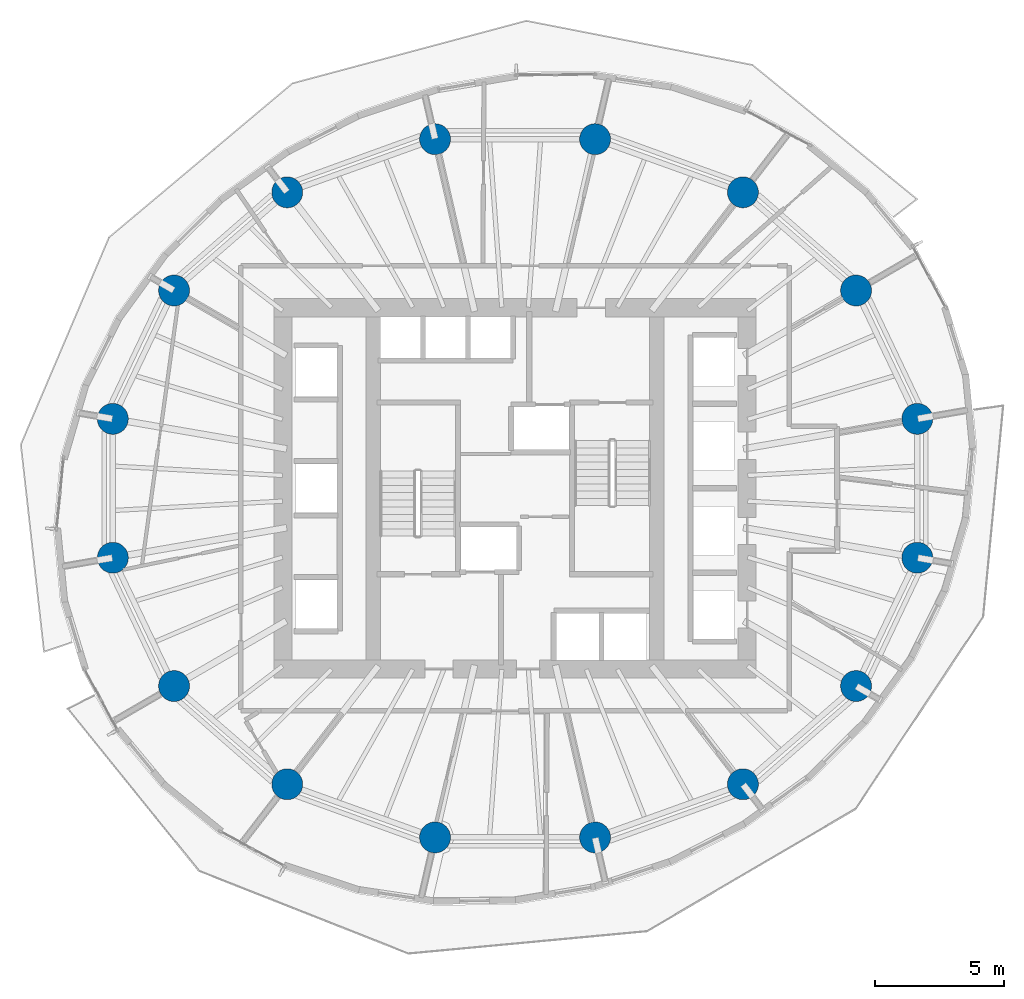
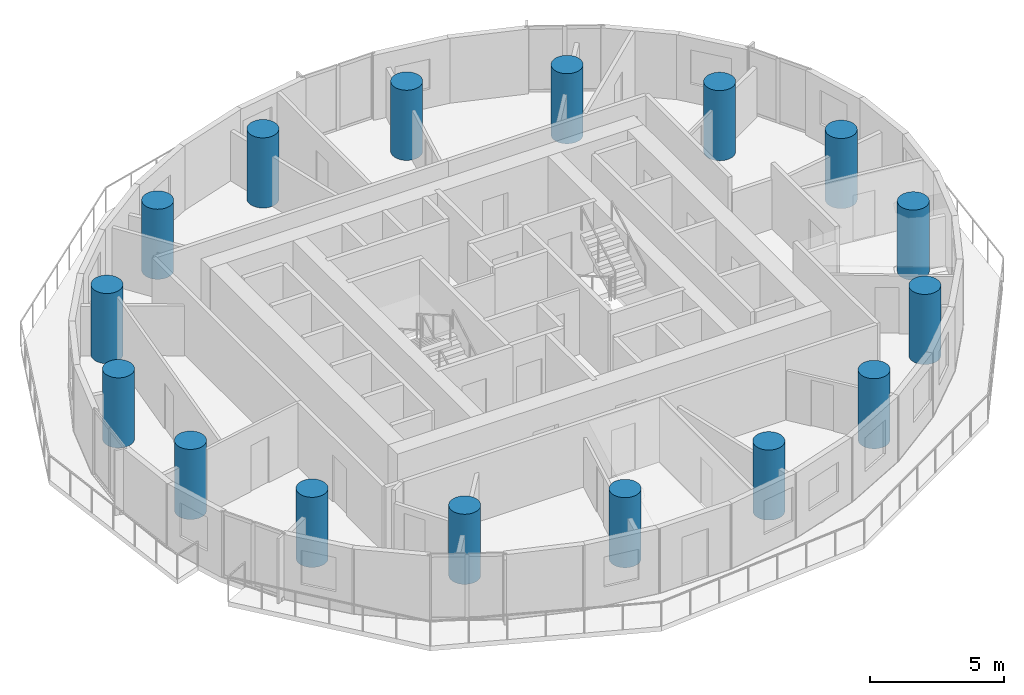
# One storey, part 1 of 14: 16 columns.
"""IFC4 building model written with IfcOpenShell, lengths in metres."""

from ifc_helpers import new_model, si_unit, direction, frame, origin, origin_2d, place, context, subcontext, project, spatial, circle, extrude, material, material_profile, profile_set, type_object, element, save


model = new_model("IFC4")

# Units and contexts
model_context = context("Model", 3, precision=1e-05, world=origin(), true_north=direction((0.0, 1.0)))
body_context = subcontext(model_context, "Body", "Model", "MODEL_VIEW")
ifc_project = project(units=[si_unit("LENGTHUNIT", "METRE"), si_unit("AREAUNIT", "SQUARE_METRE"), si_unit("VOLUMEUNIT", "CUBIC_METRE"), si_unit("PLANEANGLEUNIT", "RADIAN"), si_unit("MASSUNIT", "GRAM", prefix="KILO")], contexts=[model_context])

# Site, building, storey
site_placement = place(None, origin())
site = spatial("IfcSite", under=ifc_project, at=site_placement, CompositionType="ELEMENT")
building_placement = place(site_placement, origin())
building = spatial("IfcBuilding", under=site, at=building_placement, Name="Veldorim Arch Residences", CompositionType="ELEMENT")
storey_placement = place(building_placement, frame((0.0, 0.0, 96.47998046875)))
storey = spatial("IfcBuildingStorey", under=building, at=storey_placement, Name="L28", CompositionType="ELEMENT", Elevation=96.47998046875)

# Columns
ifc_material = material(Name="Concrete C60/75", Category="concrete")
ifc_material_profile = material_profile(ifc_material, circle(Radius=0.60009765625, at=origin_2d()), Name="RC_CIRC_1200")
ifc_profile_set = profile_set([ifc_material_profile], Name="Concrete C60/75")
column_type = type_object("IfcColumnType", Name="Structural Column RC_CIRC_1200", PredefinedType="COLUMN", material=ifc_profile_set)
for number, where, z_axis, x_axis, name in (
    (1, (47.594482421875, 26.692138671875, 0.0), (0.0, 0.0, 1.0), (1.0, 0.0, 0.0), "L28 TC-Z2-01 perimeter column"),
    (2, (45.220458984375, 31.6669921875, 0.0), (0.0, 0.0, 1.0), (1.0, 0.0, 0.0), "L28 TC-Z2-02 perimeter column"),
    (3, (40.83349609375, 35.474365234375, 0.0), (0.0, 0.0, 1.0), (1.0, 0.0, 0.0), "L28 TC-Z2-03 perimeter column"),
    (4, (35.101806640625, 37.534912109375, 0.0), (0.0, 0.0, 1.0), (1.0, 0.0, 0.0), "L28 TC-Z2-04 perimeter column"),
    (5, (28.898193359375, 37.534912109375, 0.0), (0.0, 0.0, 1.0), (1.0, 0.0, 0.0), "L28 TC-Z2-05 perimeter column"),
    (6, (23.16650390625, 35.474365234375, 0.0), (0.0, 0.0, 1.0), (1.0, 0.0, 0.0), "L28 TC-Z2-06 perimeter column"),
    (7, (18.779541015625, 31.6669921875, 0.0), (0.0, 0.0, 1.0), (1.0, 0.0, 0.0), "L28 TC-Z2-07 perimeter column"),
    (8, (16.405517578125, 26.692138671875, 0.0), (0.0, 0.0, 1.0), (1.0, 0.0, 0.0), "L28 TC-Z2-08 perimeter column"),
    (9, (16.405517578125, 21.307861328125, 0.0), (0.0, 0.0, 1.0), (1.0, 0.0, 0.0), "L28 TC-Z2-09 perimeter column"),
    (10, (18.779541015625, 16.3330078125, 0.0), (0.0, 0.0, 1.0), (1.0, 0.0, 0.0), "L28 TC-Z2-10 perimeter column"),
    (11, (23.16650390625, 12.525634765625, 0.0), (0.0, 0.0, 1.0), (1.0, 0.0, 0.0), "L28 TC-Z2-11 perimeter column"),
    (12, (28.898193359375, 10.465087890625, 0.0), (0.0, 0.0, 1.0), (1.0, 0.0, 0.0), "L28 TC-Z2-12 perimeter column"),
    (13, (35.101806640625, 10.465087890625, 0.0), (0.0, 0.0, 1.0), (1.0, 0.0, 0.0), "L28 TC-Z2-13 perimeter column"),
    (14, (40.83349609375, 12.525634765625, 0.0), (0.0, 0.0, 1.0), (1.0, 0.0, 0.0), "L28 TC-Z2-14 perimeter column"),
    (15, (45.220458984375, 16.3330078125, 0.0), (0.0, 0.0, 1.0), (1.0, 0.0, 0.0), "L28 TC-Z2-15 perimeter column"),
    (16, (47.594482421875, 21.307861328125, 0.0), (0.0, 0.0, 1.0), (1.0, 0.0, 0.0), "L28 TC-Z2-16 perimeter column"),
):
    element("IfcColumn", number, at=place(storey_placement, frame(where, z_axis=z_axis, x_axis=x_axis)), inside=storey, type_object=column_type, Name=name, PredefinedType="COLUMN", context=body_context, shape_type="SweptSolid", body=[
        extrude(circle(Radius=0.60009765625, at=origin_2d()), origin(), (0.0, 0.0, 1.0), 3.199951171875),
    ])

save(model, "model.ifc")
